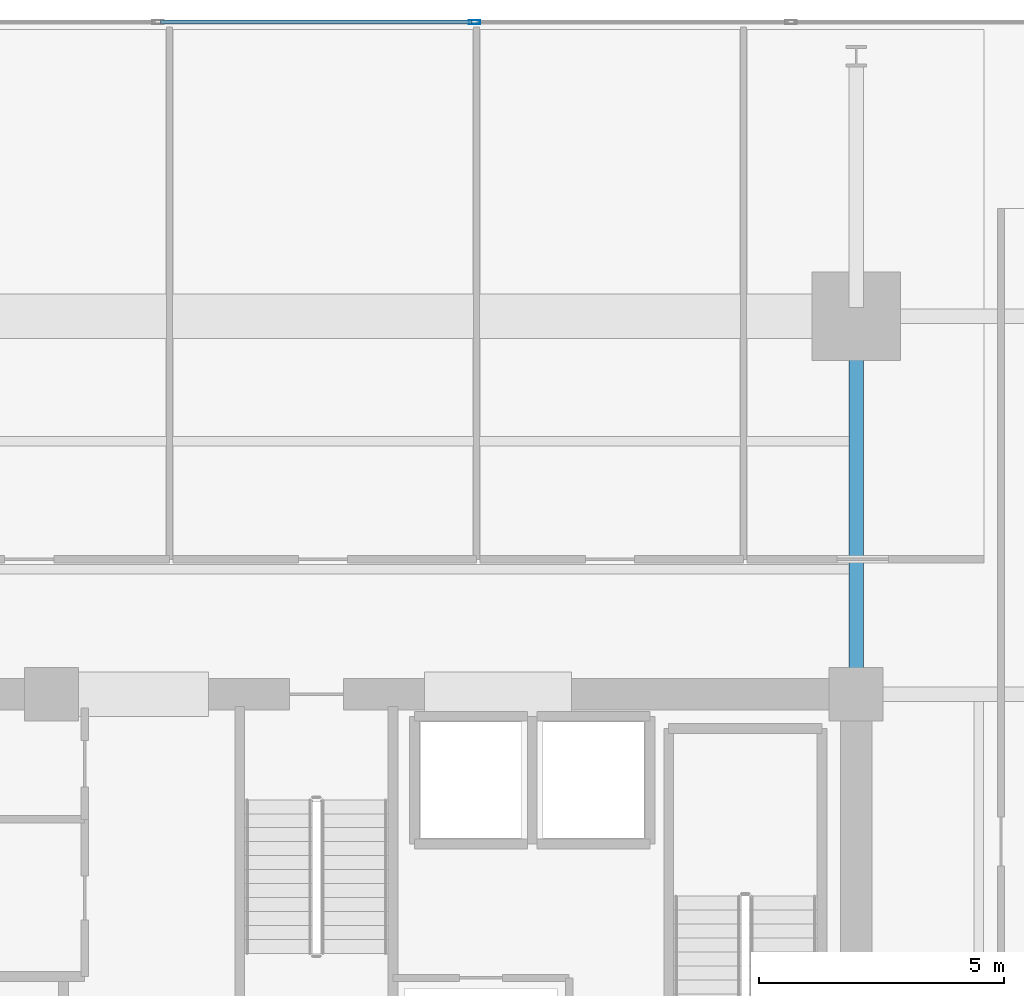
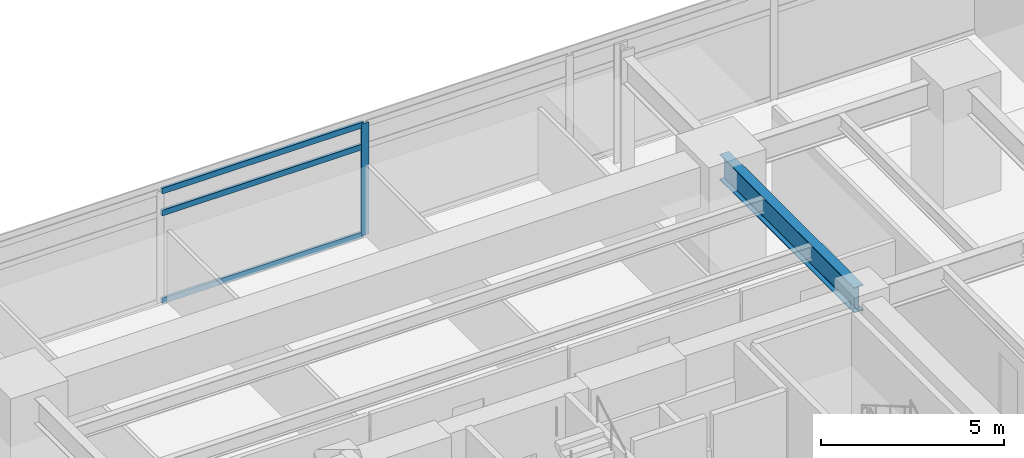
# One storey, part 9 of 23: 4 members, 1 beam, 1 element without a shape of its own.
"""IFC4 building model written with IfcOpenShell, lengths in metres."""

from ifc_helpers import new_model, si_unit, direction, frame, origin, origin_2d, place, context, subcontext, project, spatial, hollow_rectangle, i_section, extrude, material, material_profile, profile_set, type_object, element, aggregate, save


model = new_model("IFC4")

# Units and contexts
model_context = context("Model", 3, precision=1e-05, world=origin(), true_north=direction((0.0, 1.0)))
body_context = subcontext(model_context, "Body", "Model", "MODEL_VIEW")
ifc_project = project(units=[si_unit("LENGTHUNIT", "METRE"), si_unit("AREAUNIT", "SQUARE_METRE"), si_unit("VOLUMEUNIT", "CUBIC_METRE"), si_unit("PLANEANGLEUNIT", "RADIAN"), si_unit("MASSUNIT", "GRAM", prefix="KILO")], contexts=[model_context])

# Site, building, storey
site_placement = place(None, origin())
site = spatial("IfcSite", under=ifc_project, at=site_placement, CompositionType="ELEMENT")
building_placement = place(site_placement, origin())
building = spatial("IfcBuilding", under=site, at=building_placement, Name="Kovane Verandah Tower", CompositionType="ELEMENT")
storey_placement = place(building_placement, frame((0.0, 0.0, 91.60009765625)))
storey = spatial("IfcBuildingStorey", under=building, at=storey_placement, Name="L21", CompositionType="ELEMENT", Elevation=91.60009765625)

# Beam
ifc_material_1 = material(Name="Steel S355", Category="steel")
ifc_material_profile_1 = material_profile(ifc_material_1, i_section(OverallWidth=0.293701171875, OverallDepth=0.850830078125, WebThickness=0.01611328125, FlangeThickness=0.02685546875, FilletRadius=0.017822265625, at=origin_2d()), Name="UB838x292x226")
ifc_profile_set_1 = profile_set([ifc_material_profile_1], Name="Steel S355")
beam_type = type_object("IfcBeamType", Name="BM-UB838x226", PredefinedType="BEAM", material=ifc_profile_set_1)
beam_placement = place(storey_placement, frame((51.0, 36.679931640625, 3.33447265625), z_axis=(0.0, 1.0, 0.0), x_axis=(-1.0, 0.0, 0.0)))
element("IfcBeam", 1, at=beam_placement, inside=storey, type_object=beam_type, Name="L21 Primary Tower Girder G-N2", PredefinedType="BEAM", context=body_context, shape_type="SweptSolid", body=[
    extrude(i_section(OverallWidth=0.293701171875, OverallDepth=0.850830078125, WebThickness=0.01611328125, FlangeThickness=0.02685546875, FilletRadius=0.017822265625, at=origin_2d()), origin(), (0.0, 0.0, 1.0), 7.340087890625),
])

# Curtain wall, members
ifc_material_2 = material(Name="Champagne Anodised Aluminium Frame with Low-E Clear Laminated Glass", Category="aluminium")
curtain_wall_type = type_object("IfcCurtainWallType", Name="CW-SYS-02-LOW", PredefinedType="NOTDEFINED", material=ifc_material_2)
curtain_wall_placement = place(storey_placement, origin())
curtain_wall = element("IfcCurtainWall", 2, at=curtain_wall_placement, inside=storey, type_object=curtain_wall_type, Name="L21 N Unitised Curtain Wall", PredefinedType="NOTDEFINED")
ifc_material_3 = material(Name="Champagne Anodised Aluminium 6063-T6", Category="aluminium")
ifc_material_profile_2 = material_profile(ifc_material_3, hollow_rectangle(XDim=0.0849609375, YDim=0.22998046875, WallThickness=0.00390625, at=origin_2d()), Name="AL85x230x4")
ifc_profile_set_2 = profile_set([ifc_material_profile_2], Name="Champagne Anodised Aluminium 6063-T6")
member_type_1 = type_object("IfcMemberType", Name="CW-MUL-85x230", PredefinedType="MULLION", material=ifc_profile_set_2)
member_1_placement = place(storey_placement, frame((43.223388671875, 50.19482421875, 0.02001953125), z_axis=(0.0, 0.0, 1.0), x_axis=(0.0, 1.0, 0.0)))
member_1 = element("IfcMember", 3, at=member_1_placement, type_object=member_type_1, Name="L21 N Unitised Curtain Wall Mullion 4", PredefinedType="MULLION", context=body_context, shape_type="SweptSolid", body=[
    extrude(hollow_rectangle(XDim=0.0849609375, YDim=0.22998046875, WallThickness=0.00390625, at=origin_2d()), origin(), (0.0, 0.0, 1.0), 3.719970703125),
])
ifc_material_profile_3 = material_profile(ifc_material_3, hollow_rectangle(XDim=0.0849609375, YDim=0.18994140625, WallThickness=0.00390625, at=origin_2d()), Name="AL85x190x4")
ifc_profile_set_3 = profile_set([ifc_material_profile_3], Name="Champagne Anodised Aluminium 6063-T6")
member_type_2 = type_object("IfcMemberType", Name="CW-TRN-85x190", PredefinedType="USERDEFINED", material=ifc_profile_set_3)
member_2_placement = place(storey_placement, frame((43.17333984375, 50.19482421875, 0.0498046875), z_axis=(-1.0, 0.0, 0.0), x_axis=(0.0, -1.0, 0.0)))
member_2 = element("IfcMember", 4, at=member_2_placement, type_object=member_type_2, Name="L21 N Unitised Curtain Wall Transom TB Bay 4", ObjectType="TRANSOM", PredefinedType="USERDEFINED", context=body_context, shape_type="SweptSolid", body=[
    extrude(hollow_rectangle(XDim=0.0849609375, YDim=0.18994140625, WallThickness=0.00390625, at=origin_2d()), origin(), (0.0, 0.0, 1.0), 6.3466796875),
])
member_3_placement = place(storey_placement, frame((43.17333984375, 50.19482421875, 2.97998046875), z_axis=(-1.0, 0.0, 0.0), x_axis=(0.0, -1.0, 0.0)))
member_3 = element("IfcMember", 5, at=member_3_placement, type_object=member_type_2, Name="L21 N Unitised Curtain Wall Transom TM Bay 4", ObjectType="TRANSOM", PredefinedType="USERDEFINED", context=body_context, shape_type="SweptSolid", body=[
    extrude(hollow_rectangle(XDim=0.0849609375, YDim=0.18994140625, WallThickness=0.00390625, at=origin_2d()), origin(), (0.0, 0.0, 1.0), 6.3466796875),
])
member_4_placement = place(storey_placement, frame((43.17333984375, 50.19482421875, 3.7099609375), z_axis=(-1.0, 0.0, 0.0), x_axis=(0.0, -1.0, 0.0)))
member_4 = element("IfcMember", 6, at=member_4_placement, type_object=member_type_2, Name="L21 N Unitised Curtain Wall Transom TT Bay 4", ObjectType="TRANSOM", PredefinedType="USERDEFINED", context=body_context, shape_type="SweptSolid", body=[
    extrude(hollow_rectangle(XDim=0.0849609375, YDim=0.18994140625, WallThickness=0.00390625, at=origin_2d()), origin(), (0.0, 0.0, 1.0), 6.3466796875),
])
aggregate(curtain_wall, [member_1, member_2, member_3, member_4])

save(model, "model.ifc")
